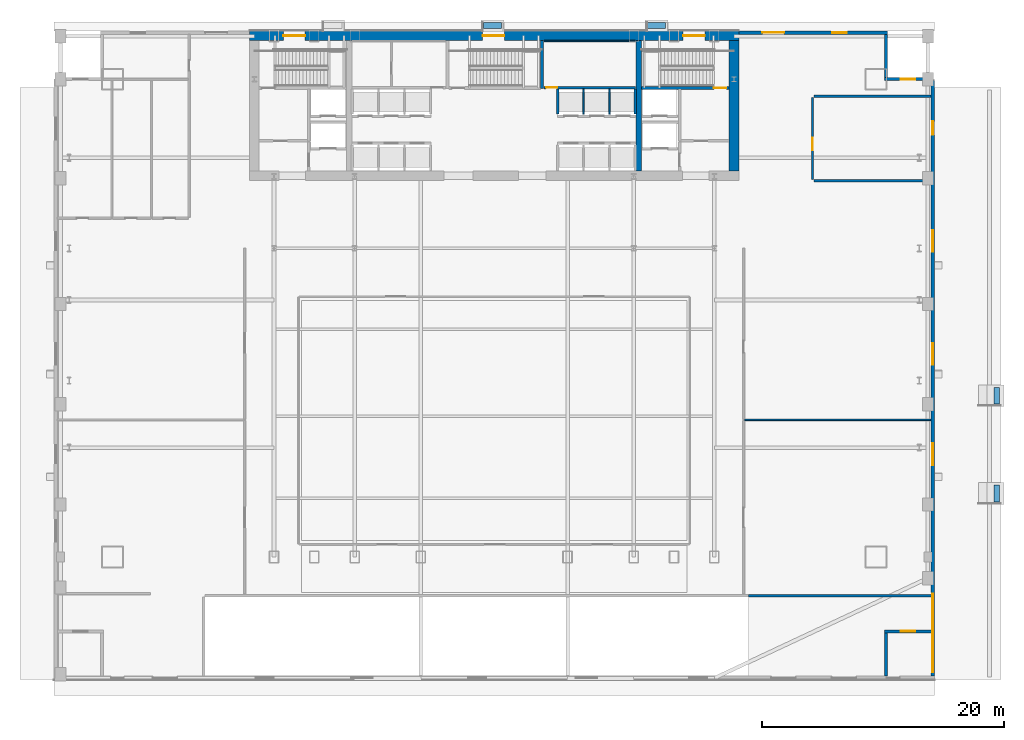
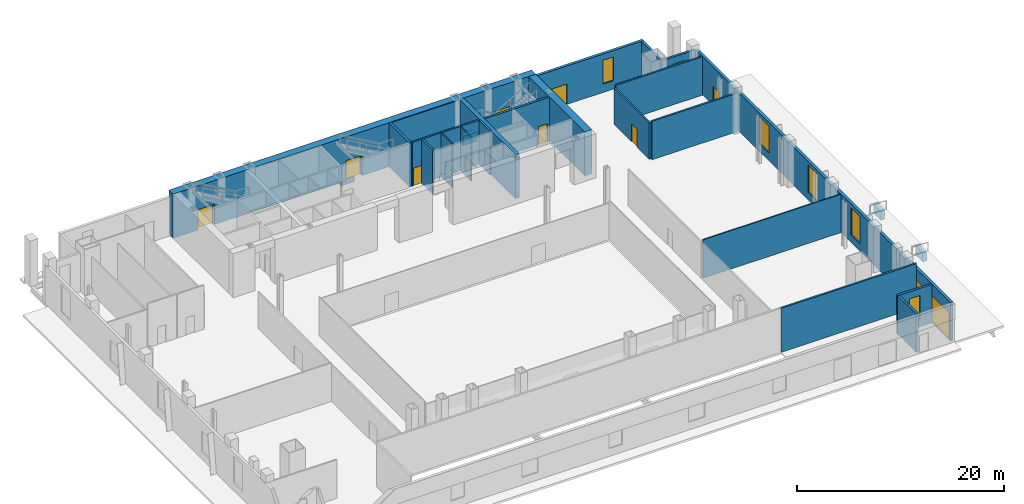
# One storey, part 11 of 16: 26 walls, 9 doors, 6 windows, 15 openings.
"""IFC4 building model written with IfcOpenShell, lengths in metres."""

from ifc_helpers import new_model, si_unit, direction, frame, frame_2d, origin, place, context, subcontext, project, spatial, rectangle, extrude, material, layer, layer_set, type_object, element, fill, save


model = new_model("IFC4")

# Units and contexts
model_context = context("Model", 3, precision=1e-05, world=origin(), true_north=direction((0.0, 1.0)))
body_context = subcontext(model_context, "Body", "Model", "MODEL_VIEW")
ifc_project = project(units=[si_unit("LENGTHUNIT", "METRE"), si_unit("AREAUNIT", "SQUARE_METRE"), si_unit("VOLUMEUNIT", "CUBIC_METRE"), si_unit("PLANEANGLEUNIT", "RADIAN"), si_unit("MASSUNIT", "GRAM", prefix="KILO")], contexts=[model_context])

# Site, building, storey
site_placement = place(None, origin())
site = spatial("IfcSite", under=ifc_project, at=site_placement, CompositionType="ELEMENT")
building_placement = place(site_placement, origin())
building = spatial("IfcBuilding", under=site, at=building_placement, Name="Khoronbel Lancet Exchange", CompositionType="ELEMENT")
storey_placement = place(building_placement, origin())
storey = spatial("IfcBuildingStorey", under=building, at=storey_placement, Name="L00", CompositionType="ELEMENT", Elevation=0.0)

# Wall, openings, doors
ifc_material_1 = material(Name="Concrete C80/95", Category="concrete")
ifc_layer_1 = layer(ifc_material_1, 0.800048828125, Name="Concrete C80/95")
ifc_layer_set_1 = layer_set([ifc_layer_1], Name="Concrete C80/95")
wall_type_1 = type_object("IfcWallType", Name="WL-CW1", PredefinedType="SHEAR", material=ifc_layer_set_1)
wall_1_placement = place(storey_placement, frame((16.199951171875, 53.300048828125, 0.0), z_axis=(0.0, 0.0, 1.0), x_axis=(1.0, 0.0, 0.0)))
wall_1 = element("IfcWall", 1, at=wall_1_placement, inside=storey, type_object=wall_type_1, Name="Level L00 rear core north shear wall", PredefinedType="SHEAR", context=body_context, shape_type="SweptSolid", body=[
    extrude(rectangle(XDim=40.5, YDim=0.800048828125, at=frame_2d((20.25, 0.0))), origin(), (0.0, 0.0, 1.0), 5.199951171875),
])
opening_1_placement = place(wall_1_placement, frame((2.800048828125, 0.0, 0.0)))
opening_1 = element("IfcOpeningElement", 2, at=opening_1_placement, cuts=wall_1, Name="Opening EX2", PredefinedType="OPENING", context=body_context, shape_type="SweptSolid", body=[
    extrude(rectangle(XDim=1.800048828125, YDim=2.39990234375, at=frame_2d((0.89990234375, 1.199951171875))), frame((0.0, 0.41015625, 0.0), z_axis=(0.0, -1.0, 0.0), x_axis=(1.0, 0.0, 0.0)), (0.0, 0.0, 1.0), 0.820068359375),
])
opening_2_placement = place(wall_1_placement, frame((19.300048828125, 0.0, 0.0)))
opening_2 = element("IfcOpeningElement", 3, at=opening_2_placement, cuts=wall_1, Name="Opening EX2", PredefinedType="OPENING", context=body_context, shape_type="SweptSolid", body=[
    extrude(rectangle(XDim=1.800048828125, YDim=2.39990234375, at=frame_2d((0.89990234375, 1.199951171875))), frame((0.0, 0.41015625, 0.0), z_axis=(0.0, -1.0, 0.0), x_axis=(1.0, 0.0, 0.0)), (0.0, 0.0, 1.0), 0.820068359375),
])
opening_3_placement = place(wall_1_placement, frame((35.89990234375, 0.0, 0.0)))
opening_3 = element("IfcOpeningElement", 4, at=opening_3_placement, cuts=wall_1, Name="Opening EX2", PredefinedType="OPENING", context=body_context, shape_type="SweptSolid", body=[
    extrude(rectangle(XDim=1.800048828125, YDim=2.39990234375, at=frame_2d((0.89990234375, 1.199951171875))), frame((0.0, 0.41015625, 0.0), z_axis=(0.0, -1.0, 0.0), x_axis=(1.0, 0.0, 0.0)), (0.0, 0.0, 1.0), 0.820068359375),
])
ifc_material_2 = material(Name="Glazed Bronze-Anodised Aluminium Door Assembly", Category="aluminium")
door_type_1 = type_object("IfcDoorType", Name="DR-EX2", OperationType="NOTDEFINED", PredefinedType="DOOR", material=ifc_material_2)
door_1_placement = place(opening_1_placement, origin())
door_1 = element("IfcDoor", 5, at=door_1_placement, inside=storey, type_object=door_type_1, Name="Stair ST1 north direct exterior discharge exit EX-04", OperationType="DOUBLE_DOOR_SINGLE_SWING", OverallHeight=2.39990234375, OverallWidth=1.800048828125, PredefinedType="DOOR", context=body_context, shape_type="SweptSolid", body=[
    extrude(rectangle(XDim=1.800048828125, YDim=2.39990234375, at=frame_2d((0.89990234375, 1.199951171875))), frame((0.0, 0.02490234375, 0.0), z_axis=(0.0, -1.0, 0.0), x_axis=(1.0, 0.0, 0.0)), (0.0, 0.0, 1.0), 0.050048828125),
])
fill(opening_1, door_1)
door_2_placement = place(opening_2_placement, origin())
door_2 = element("IfcDoor", 6, at=door_2_placement, inside=storey, type_object=door_type_1, Name="Stair ST3 north direct exterior discharge exit EX-06", OperationType="DOUBLE_DOOR_SINGLE_SWING", OverallHeight=2.39990234375, OverallWidth=1.800048828125, PredefinedType="DOOR", context=body_context, shape_type="SweptSolid", body=[
    extrude(rectangle(XDim=1.800048828125, YDim=2.39990234375, at=frame_2d((0.89990234375, 1.199951171875))), frame((0.0, 0.02490234375, 0.0), z_axis=(0.0, -1.0, 0.0), x_axis=(1.0, 0.0, 0.0)), (0.0, 0.0, 1.0), 0.050048828125),
])
fill(opening_2, door_2)
door_3_placement = place(opening_3_placement, origin())
door_3 = element("IfcDoor", 7, at=door_3_placement, inside=storey, type_object=door_type_1, Name="Stair ST2 north direct exterior discharge exit EX-05", OperationType="DOUBLE_DOOR_SINGLE_SWING", OverallHeight=2.39990234375, OverallWidth=1.800048828125, PredefinedType="DOOR", context=body_context, shape_type="SweptSolid", body=[
    extrude(rectangle(XDim=1.800048828125, YDim=2.39990234375, at=frame_2d((0.89990234375, 1.199951171875))), frame((0.0, 0.02490234375, 0.0), z_axis=(0.0, -1.0, 0.0), x_axis=(1.0, 0.0, 0.0)), (0.0, 0.0, 1.0), 0.050048828125),
])
fill(opening_3, door_3)

# Wall
wall_2_placement = place(storey_placement, frame((56.300048828125, 52.89990234375, 0.0), z_axis=(0.0, 0.0, 1.0), x_axis=(0.0, -1.0, 0.0)))
element("IfcWall", 8, at=wall_2_placement, inside=storey, type_object=wall_type_1, Name="Level L00 rear core east shear wall", PredefinedType="SHEAR", context=body_context, shape_type="SweptSolid", body=[
    extrude(rectangle(XDim=10.7998046875, YDim=0.800048828125, at=frame_2d((5.39990234375, 0.0))), origin(), (0.0, 0.0, 1.0), 5.199951171875),
])

# Wall, opening, window
ifc_material_3 = material(Name="Precast concrete C40/50", Category="concrete")
ifc_layer_2 = layer(ifc_material_3, 0.25, Name="Precast concrete C40/50")
ifc_layer_set_2 = layer_set([ifc_layer_2], Name="Precast concrete C40/50")
wall_type_2 = type_object("IfcWallType", Name="WL-EXT250", PredefinedType="SOLIDWALL", material=ifc_layer_set_2)
wall_3_placement = place(storey_placement, frame((68.77490234375, 49.699951171875, 0.0), z_axis=(0.0, 0.0, 1.0), x_axis=(1.0, 0.0, 0.0)))
wall_3 = element("IfcWall", 9, at=wall_3_placement, inside=storey, type_object=wall_type_2, Name="Level L00 corner notch exterior wall NEL0", PredefinedType="SOLIDWALL", context=body_context, shape_type="SweptSolid", body=[
    extrude(rectangle(XDim=3.8251953125, YDim=0.25, at=frame_2d((1.91259765625, 0.0))), origin(), (0.0, 0.0, 1.0), 4.5400390625),
])
opening_4_placement = place(wall_3_placement, frame((1.3125, 0.0, 0.89990234375)))
opening_4 = element("IfcOpeningElement", 10, at=opening_4_placement, cuts=wall_3, Name="Opening W2", PredefinedType="OPENING", context=body_context, shape_type="SweptSolid", body=[
    extrude(rectangle(XDim=1.199951171875, YDim=2.800048828125, at=frame_2d((0.60009765625, 1.39990234375))), frame((0.0, 0.135009765625, 0.0), z_axis=(0.0, -1.0, 0.0), x_axis=(1.0, 0.0, 0.0)), (0.0, 0.0, 1.0), 0.27001953125),
])
ifc_material_4 = material(Name="Low-E Solar Control Insulating Glass", Category="glass")
window_type_1 = type_object("IfcWindowType", Name="WIN-W2", PartitioningType="SINGLE_PANEL", PredefinedType="WINDOW", material=ifc_material_4)
window_1_placement = place(opening_4_placement, origin())
window_1 = element("IfcWindow", 11, at=window_1_placement, inside=storey, type_object=window_type_1, Name="WIN-L00-NEL0", OverallHeight=2.800048828125, OverallWidth=1.199951171875, PartitioningType="SINGLE_PANEL", PredefinedType="WINDOW", context=body_context, shape_type="SweptSolid", body=[
    extrude(rectangle(XDim=1.199951171875, YDim=2.800048828125, at=frame_2d((0.60009765625, 1.39990234375))), frame((0.0, 0.030029296875, 0.0), z_axis=(0.0, -1.0, 0.0), x_axis=(1.0, 0.0, 0.0)), (0.0, 0.0, 1.0), 0.06005859375),
])
fill(opening_4, window_1)

wall_4_placement = place(storey_placement, frame((72.60009765625, 4.0, 0.0), z_axis=(0.0, 0.0, 1.0), x_axis=(-1.0, 0.0, 0.0)))
wall_4 = element("IfcWall", 12, at=wall_4_placement, inside=storey, type_object=wall_type_2, Name="Level L00 corner notch exterior wall SEL0", PredefinedType="SOLIDWALL", context=body_context, shape_type="SweptSolid", body=[
    extrude(rectangle(XDim=3.8251953125, YDim=0.25, at=frame_2d((1.91259765625, 0.0))), origin(), (0.0, 0.0, 1.0), 4.5400390625),
])
opening_5_placement = place(wall_4_placement, frame((1.3125, 0.0, 0.89990234375)))
opening_5 = element("IfcOpeningElement", 13, at=opening_5_placement, cuts=wall_4, Name="Opening W2", PredefinedType="OPENING", context=body_context, shape_type="SweptSolid", body=[
    extrude(rectangle(XDim=1.199951171875, YDim=2.800048828125, at=frame_2d((0.60009765625, 1.39990234375))), frame((0.0, 0.135009765625, 0.0), z_axis=(0.0, -1.0, 0.0), x_axis=(1.0, 0.0, 0.0)), (0.0, 0.0, 1.0), 0.27001953125),
])
window_2_placement = place(opening_5_placement, origin())
window_2 = element("IfcWindow", 14, at=window_2_placement, inside=storey, type_object=window_type_1, Name="WIN-L00-SEL0", OverallHeight=2.800048828125, OverallWidth=1.199951171875, PartitioningType="SINGLE_PANEL", PredefinedType="WINDOW", context=body_context, shape_type="SweptSolid", body=[
    extrude(rectangle(XDim=1.199951171875, YDim=2.800048828125, at=frame_2d((0.60009765625, 1.39990234375))), frame((0.0, 0.030029296875, 0.0), z_axis=(0.0, -1.0, 0.0), x_axis=(1.0, 0.0, 0.0)), (0.0, 0.0, 1.0), 0.06005859375),
])
fill(opening_5, window_2)

# Walls
for number, where, z_axis, x_axis, name in (
    (15, (68.89990234375, 53.39990234375, 0.0), (0.0, 0.0, 1.0), (0.0, -1.0, 0.0), "Level L00 corner notch exterior wall NEV0"),
    (16, (68.89990234375, 3.875, 0.0), (0.0, 0.0, 1.0), (0.0, -1.0, 0.0), "Level L00 corner notch exterior wall SEV0"),
):
    element("IfcWall", number, at=place(storey_placement, frame(where, z_axis=z_axis, x_axis=x_axis)), inside=storey, type_object=wall_type_2, Name=name, PredefinedType="SOLIDWALL", context=body_context, shape_type="SweptSolid", body=[
        extrude(rectangle(XDim=3.574951171875, YDim=0.25, at=frame_2d((1.78759765625, 0.0))), origin(), (0.0, 0.0, 1.0), 4.5400390625),
    ])

# Wall, openings, doors, windows
ifc_layer_3 = layer(ifc_material_3, 0.300048828125, Name="Precast concrete C40/50")
ifc_layer_set_3 = layer_set([ifc_layer_3], Name="Precast concrete C40/50")
wall_type_3 = type_object("IfcWallType", Name="WL-EXT300", PredefinedType="SOLIDWALL", material=ifc_layer_set_3)
wall_5_placement = place(storey_placement, frame((72.75, 0.300048828125, 0.0), z_axis=(0.0, 0.0, 1.0), x_axis=(0.0, 1.0, 0.0)))
wall_5 = element("IfcWall", 17, at=wall_5_placement, inside=storey, type_object=wall_type_3, Name="Level L00 east boulevard stone facade and ramp portal wall", PredefinedType="SOLIDWALL", context=body_context, shape_type="SweptSolid", body=[
    extrude(rectangle(XDim=49.27490234375, YDim=0.300048828125, at=frame_2d((24.637451171875, 0.0))), origin(), (0.0, 0.0, 1.0), 4.5400390625),
])
opening_6_placement = place(wall_5_placement, frame((0.300048828125, 0.0, 0.0)))
opening_6 = element("IfcOpeningElement", 18, at=opening_6_placement, cuts=wall_5, Name="Opening VG-01", PredefinedType="OPENING", context=body_context, shape_type="SweptSolid", body=[
    extrude(rectangle(XDim=6.5, YDim=3.199951171875, at=frame_2d((3.25, 1.60009765625))), frame((0.0, 0.16015625, 0.0), z_axis=(0.0, -1.0, 0.0), x_axis=(1.0, 0.0, 0.0)), (0.0, 0.0, 1.0), 0.320068359375),
])
opening_7_placement = place(wall_5_placement, frame((44.800048828125, 0.0, 0.0)))
opening_7 = element("IfcOpeningElement", 19, at=opening_7_placement, cuts=wall_5, Name="Opening EX3", PredefinedType="OPENING", context=body_context, shape_type="SweptSolid", body=[
    extrude(rectangle(XDim=1.10009765625, YDim=2.25, at=frame_2d((0.550048828125, 1.125))), frame((0.0, 0.16015625, 0.0), z_axis=(0.0, -1.0, 0.0), x_axis=(1.0, 0.0, 0.0)), (0.0, 0.0, 1.0), 0.320068359375),
])
opening_8_placement = place(wall_5_placement, frame((17.449951171875, 0.0, 0.89990234375)))
opening_8 = element("IfcOpeningElement", 20, at=opening_8_placement, cuts=wall_5, Name="Opening W1", PredefinedType="OPENING", context=body_context, shape_type="SweptSolid", body=[
    extrude(rectangle(XDim=1.800048828125, YDim=3.199951171875, at=frame_2d((0.89990234375, 1.60009765625))), frame((0.0, 0.16015625, 0.0), z_axis=(0.0, -1.0, 0.0), x_axis=(1.0, 0.0, 0.0)), (0.0, 0.0, 1.0), 0.320068359375),
])
opening_9_placement = place(wall_5_placement, frame((25.75, 0.0, 0.89990234375)))
opening_9 = element("IfcOpeningElement", 21, at=opening_9_placement, cuts=wall_5, Name="Opening W1", PredefinedType="OPENING", context=body_context, shape_type="SweptSolid", body=[
    extrude(rectangle(XDim=1.800048828125, YDim=3.199951171875, at=frame_2d((0.89990234375, 1.60009765625))), frame((0.0, 0.16015625, 0.0), z_axis=(0.0, -1.0, 0.0), x_axis=(1.0, 0.0, 0.0)), (0.0, 0.0, 1.0), 0.320068359375),
])
opening_10_placement = place(wall_5_placement, frame((35.10009765625, 0.0, 0.89990234375)))
opening_10 = element("IfcOpeningElement", 22, at=opening_10_placement, cuts=wall_5, Name="Opening W1", PredefinedType="OPENING", context=body_context, shape_type="SweptSolid", body=[
    extrude(rectangle(XDim=1.800048828125, YDim=3.199951171875, at=frame_2d((0.89990234375, 1.60009765625))), frame((0.0, 0.16015625, 0.0), z_axis=(0.0, -1.0, 0.0), x_axis=(1.0, 0.0, 0.0)), (0.0, 0.0, 1.0), 0.320068359375),
])
door_type_2 = type_object("IfcDoorType", Name="DR-EX3", OperationType="NOTDEFINED", PredefinedType="DOOR", material=ifc_material_2)
door_4_placement = place(opening_7_placement, origin())
door_4 = element("IfcDoor", 23, at=door_4_placement, inside=storey, type_object=door_type_2, Name="Fire Command Centre firefighter entrance", OperationType="SINGLE_SWING_RIGHT", OverallHeight=2.25, OverallWidth=1.10009765625, PredefinedType="DOOR", context=body_context, shape_type="SweptSolid", body=[
    extrude(rectangle(XDim=1.10009765625, YDim=2.25, at=frame_2d((0.550048828125, 1.125))), frame((0.0, 0.02490234375, 0.0), z_axis=(0.0, -1.0, 0.0), x_axis=(1.0, 0.0, 0.0)), (0.0, 0.0, 1.0), 0.050048828125),
])
fill(opening_7, door_4)
ifc_material_5 = material(Name="Perforated Bronze-Anodised Steel Security Shutter", Category="steel")
door_type_3 = type_object("IfcDoorType", Name="DR-VG01", OperationType="ROLLINGUP", PredefinedType="GATE", material=ifc_material_5)
door_5_placement = place(opening_6_placement, origin())
door_5 = element("IfcDoor", 24, at=door_5_placement, inside=storey, type_object=door_type_3, Name="Car-park roller shutter gate VG-01", OperationType="ROLLINGUP", OverallHeight=3.199951171875, OverallWidth=6.5, PredefinedType="GATE", context=body_context, shape_type="SweptSolid", body=[
    extrude(rectangle(XDim=6.5, YDim=3.199951171875, at=frame_2d((3.25, 1.60009765625))), frame((0.0, 0.02490234375, 0.0), z_axis=(0.0, -1.0, 0.0), x_axis=(1.0, 0.0, 0.0)), (0.0, 0.0, 1.0), 0.050048828125),
])
fill(opening_6, door_5)
window_type_2 = type_object("IfcWindowType", Name="WIN-W1", PartitioningType="SINGLE_PANEL", PredefinedType="WINDOW", material=ifc_material_4)
window_3_placement = place(opening_8_placement, origin())
window_3 = element("IfcWindow", 25, at=window_3_placement, inside=storey, type_object=window_type_2, Name="WIN-L00-E-1", OverallHeight=3.199951171875, OverallWidth=1.800048828125, PartitioningType="SINGLE_PANEL", PredefinedType="WINDOW", context=body_context, shape_type="SweptSolid", body=[
    extrude(rectangle(XDim=1.800048828125, YDim=3.199951171875, at=frame_2d((0.89990234375, 1.60009765625))), frame((0.0, 0.030029296875, 0.0), z_axis=(0.0, -1.0, 0.0), x_axis=(1.0, 0.0, 0.0)), (0.0, 0.0, 1.0), 0.06005859375),
])
fill(opening_8, window_3)
window_4_placement = place(opening_9_placement, origin())
window_4 = element("IfcWindow", 26, at=window_4_placement, inside=storey, type_object=window_type_2, Name="WIN-L00-E-2", OverallHeight=3.199951171875, OverallWidth=1.800048828125, PartitioningType="SINGLE_PANEL", PredefinedType="WINDOW", context=body_context, shape_type="SweptSolid", body=[
    extrude(rectangle(XDim=1.800048828125, YDim=3.199951171875, at=frame_2d((0.89990234375, 1.60009765625))), frame((0.0, 0.030029296875, 0.0), z_axis=(0.0, -1.0, 0.0), x_axis=(1.0, 0.0, 0.0)), (0.0, 0.0, 1.0), 0.06005859375),
])
fill(opening_9, window_4)
window_5_placement = place(opening_10_placement, origin())
window_5 = element("IfcWindow", 27, at=window_5_placement, inside=storey, type_object=window_type_2, Name="WIN-L00-E-3", OverallHeight=3.199951171875, OverallWidth=1.800048828125, PartitioningType="SINGLE_PANEL", PredefinedType="WINDOW", context=body_context, shape_type="SweptSolid", body=[
    extrude(rectangle(XDim=1.800048828125, YDim=3.199951171875, at=frame_2d((0.89990234375, 1.60009765625))), frame((0.0, 0.030029296875, 0.0), z_axis=(0.0, -1.0, 0.0), x_axis=(1.0, 0.0, 0.0)), (0.0, 0.0, 1.0), 0.06005859375),
])
fill(opening_10, window_5)

# Wall, openings, door, window
wall_6_placement = place(storey_placement, frame((56.699951171875, 53.550048828125, 0.0), z_axis=(0.0, 0.0, 1.0), x_axis=(1.0, 0.0, 0.0)))
wall_6 = element("IfcWall", 28, at=wall_6_placement, inside=storey, type_object=wall_type_3, Name="Level L00 north-east stair discharge facade wall", PredefinedType="SOLIDWALL", context=body_context, shape_type="SweptSolid", body=[
    extrude(rectangle(XDim=12.324951171875, YDim=0.300048828125, at=frame_2d((6.16259765625, 0.0))), origin(), (0.0, 0.0, 1.0), 4.5400390625),
])
opening_11_placement = place(wall_6_placement, frame((1.949951171875, 0.0, 0.0)))
opening_11 = element("IfcOpeningElement", 29, at=opening_11_placement, cuts=wall_6, Name="Opening EX2", PredefinedType="OPENING", context=body_context, shape_type="SweptSolid", body=[
    extrude(rectangle(XDim=1.800048828125, YDim=2.39990234375, at=frame_2d((0.89990234375, 1.199951171875))), frame((0.0, 0.16015625, 0.0), z_axis=(0.0, -1.0, 0.0), x_axis=(1.0, 0.0, 0.0)), (0.0, 0.0, 1.0), 0.320068359375),
])
opening_12_placement = place(wall_6_placement, frame((7.75, 0.0, 1.0)))
opening_12 = element("IfcOpeningElement", 30, at=opening_12_placement, cuts=wall_6, Name="Opening W2", PredefinedType="OPENING", context=body_context, shape_type="SweptSolid", body=[
    extrude(rectangle(XDim=1.199951171875, YDim=2.800048828125, at=frame_2d((0.60009765625, 1.39990234375))), frame((0.0, 0.16015625, 0.0), z_axis=(0.0, -1.0, 0.0), x_axis=(1.0, 0.0, 0.0)), (0.0, 0.0, 1.0), 0.320068359375),
])
door_6_placement = place(opening_11_placement, origin())
door_6 = element("IfcDoor", 31, at=door_6_placement, inside=storey, type_object=door_type_1, Name="North-east concourse arcade final exit EX-08", OperationType="DOUBLE_DOOR_SINGLE_SWING", OverallHeight=2.39990234375, OverallWidth=1.800048828125, PredefinedType="DOOR", context=body_context, shape_type="SweptSolid", body=[
    extrude(rectangle(XDim=1.800048828125, YDim=2.39990234375, at=frame_2d((0.89990234375, 1.199951171875))), frame((0.0, 0.02490234375, 0.0), z_axis=(0.0, -1.0, 0.0), x_axis=(1.0, 0.0, 0.0)), (0.0, 0.0, 1.0), 0.050048828125),
])
fill(opening_11, door_6)
window_6_placement = place(opening_12_placement, origin())
window_6 = element("IfcWindow", 32, at=window_6_placement, inside=storey, type_object=window_type_1, Name="WIN-L00-NE-1", OverallHeight=2.800048828125, OverallWidth=1.199951171875, PartitioningType="SINGLE_PANEL", PredefinedType="WINDOW", context=body_context, shape_type="SweptSolid", body=[
    extrude(rectangle(XDim=1.199951171875, YDim=2.800048828125, at=frame_2d((0.60009765625, 1.39990234375))), frame((0.0, 0.030029296875, 0.0), z_axis=(0.0, -1.0, 0.0), x_axis=(1.0, 0.0, 0.0)), (0.0, 0.0, 1.0), 0.06005859375),
])
fill(opening_12, window_6)

# Walls
ifc_material_6 = material(Name="Acoustic Metal-Stud & Mineral-Wool Gypsum Partition 120 mm", Category="gypsum")
ifc_layer_4 = layer(ifc_material_6, 0.1201171875, Name="Acoustic Metal-Stud & Mineral-Wool Gypsum Partition 120 mm")
ifc_layer_set_4 = layer_set([ifc_layer_4], Name="Acoustic Metal-Stud & Mineral-Wool Gypsum Partition 120 mm")
wall_type_4 = type_object("IfcWallType", Name="WL-PRT120", PredefinedType="PARTITIONING", material=ifc_layer_set_4)
wall_7_placement = place(storey_placement, frame((57.179931640625, 21.5, 0.0), z_axis=(0.0, 0.0, 1.0), x_axis=(1.0, 0.0, 0.0)))
element("IfcWall", 33, at=wall_7_placement, inside=storey, type_object=wall_type_4, Name="Level L00 interior partition PW-L00-EH", PredefinedType="PARTITIONING", context=body_context, shape_type="SweptSolid", body=[
    extrude(rectangle(XDim=15.420166015625, YDim=0.1201171875, at=frame_2d((7.7099609375, 0.0))), origin(), (0.0, 0.0, 1.0), 4.5400390625),
])
ifc_material_7 = material(Name="Fire-Rated Metal-Stud & Mineral-Wool Gypsum Partition 120 mm", Category="gypsum")
ifc_layer_5 = layer(ifc_material_7, 0.1201171875, Name="Fire-Rated Metal-Stud & Mineral-Wool Gypsum Partition 120 mm")
ifc_layer_set_5 = layer_set([ifc_layer_5], Name="Fire-Rated Metal-Stud & Mineral-Wool Gypsum Partition 120 mm")
wall_type_5 = type_object("IfcWallType", Name="WL-PRT120F", PredefinedType="PARTITIONING", material=ifc_layer_set_5)
for number, where, z_axis, x_axis, name in (
    (34, (43.860107421875, 46.800048828125, 0.0), (0.0, 0.0, 1.0), (0.0, 1.0, 0.0), "Level L00 interior partition CW-PH-D1"),
    (35, (46.0, 46.800048828125, 0.0), (0.0, 0.0, 1.0), (0.0, 1.0, 0.0), "Level L00 interior partition CW-PH-D2"),
):
    element("IfcWall", number, at=place(storey_placement, frame(where, z_axis=z_axis, x_axis=x_axis)), inside=storey, type_object=wall_type_5, Name=name, PredefinedType="PARTITIONING", context=body_context, shape_type="SweptSolid", body=[
        extrude(rectangle(XDim=2.094970703125, YDim=0.1201171875, at=frame_2d((1.04736328125, 0.0))), origin(), (0.0, 0.0, 1.0), 5.199951171875),
    ])
wall_8_placement = place(storey_placement, frame((40.580078125, 52.860107421875, 0.0), z_axis=(0.0, 0.0, 1.0), x_axis=(1.0, 0.0, 0.0)))
element("IfcWall", 36, at=wall_8_placement, inside=storey, type_object=wall_type_5, Name="Level L00 interior partition CW-SUP-NE-N", PredefinedType="PARTITIONING", context=body_context, shape_type="SweptSolid", body=[
    extrude(rectangle(XDim=7.559814453125, YDim=0.1201171875, at=frame_2d((3.77978515625, 0.0))), origin(), (0.0, 0.0, 1.0), 5.199951171875),
])
ifc_material_8 = material(Name="Autoclaved Aerated Concrete Blockwork 200 mm", Category="masonry")
ifc_layer_6 = layer(ifc_material_8, 0.199951171875, Name="Autoclaved Aerated Concrete Blockwork 200 mm")
ifc_layer_set_6 = layer_set([ifc_layer_6], Name="Autoclaved Aerated Concrete Blockwork 200 mm")
wall_type_6 = type_object("IfcWallType", Name="WL-PRT200", PredefinedType="PARTITIONING", material=ifc_layer_set_6)
for number, where, z_axis, x_axis, name in (
    (37, (41.719970703125, 46.800048828125, 0.0), (0.0, 0.0, 1.0), (0.0, 1.0, 0.0), "Level L00 interior partition CW-PH-W"),
    (38, (48.139892578125, 46.800048828125, 0.0), (0.0, 0.0, 1.0), (0.0, 1.0, 0.0), "Level L00 interior partition CW-PH-E"),
):
    element("IfcWall", number, at=place(storey_placement, frame(where, z_axis=z_axis, x_axis=x_axis)), inside=storey, type_object=wall_type_6, Name=name, PredefinedType="PARTITIONING", context=body_context, shape_type="SweptSolid", body=[
        extrude(rectangle(XDim=2.094970703125, YDim=0.199951171875, at=frame_2d((1.04736328125, 0.0))), origin(), (0.0, 0.0, 1.0), 5.199951171875),
    ])

# Wall, opening, door
wall_9_placement = place(storey_placement, frame((40.580078125, 49.0, 0.0), z_axis=(0.0, 0.0, 1.0), x_axis=(1.0, 0.0, 0.0)))
wall_9 = element("IfcWall", 39, at=wall_9_placement, inside=storey, type_object=wall_type_6, Name="Level L00 interior partition CW-SUP-NE-S", PredefinedType="PARTITIONING", context=body_context, shape_type="SweptSolid", body=[
    extrude(rectangle(XDim=7.559814453125, YDim=0.199951171875, at=frame_2d((3.77978515625, 0.0))), origin(), (0.0, 0.0, 1.0), 5.199951171875),
])
opening_13_placement = place(wall_9_placement, frame((0.159912109375, 0.0, 0.0)))
opening_13 = element("IfcOpeningElement", 40, at=opening_13_placement, cuts=wall_9, Name="Opening FD3", PredefinedType="OPENING", context=body_context, shape_type="SweptSolid", body=[
    extrude(rectangle(XDim=0.949951171875, YDim=2.10009765625, at=frame_2d((0.47509765625, 1.050048828125))), frame((0.0, 0.10986328125, 0.0), z_axis=(0.0, -1.0, 0.0), x_axis=(1.0, 0.0, 0.0)), (0.0, 0.0, 1.0), 0.219970703125),
])
ifc_material_9 = material(Name="Fire-Rated Steel Plant & Riser Door Assembly", Category="steel")
door_type_4 = type_object("IfcDoorType", Name="DR-FD3", OperationType="NOTDEFINED", PredefinedType="DOOR", material=ifc_material_9)
door_7_placement = place(opening_13_placement, origin())
door_7 = element("IfcDoor", 41, at=door_7_placement, inside=storey, type_object=door_type_4, Name="Core NE support room door L00-1", OperationType="SINGLE_SWING_RIGHT", OverallHeight=2.10009765625, OverallWidth=0.949951171875, PredefinedType="DOOR", context=body_context, shape_type="SweptSolid", body=[
    extrude(rectangle(XDim=0.949951171875, YDim=2.10009765625, at=frame_2d((0.47509765625, 1.050048828125))), frame((0.0, 0.02490234375, 0.0), z_axis=(0.0, -1.0, 0.0), x_axis=(1.0, 0.0, 0.0)), (0.0, 0.0, 1.0), 0.050048828125),
])
fill(opening_13, door_7)

# Wall
wall_10_placement = place(storey_placement, frame((57.5, 6.949951171875, 0.0), z_axis=(0.0, 0.0, 1.0), x_axis=(1.0, 0.0, 0.0)))
element("IfcWall", 42, at=wall_10_placement, inside=storey, type_object=wall_type_6, Name="Level L00 interior partition PW-L00-RMPE2", PredefinedType="PARTITIONING", context=body_context, shape_type="SweptSolid", body=[
    extrude(rectangle(XDim=15.10009765625, YDim=0.199951171875, at=frame_2d((7.550048828125, 0.0))), origin(), (0.0, 0.0, 1.0), 5.199951171875),
])

# Wall, opening, door
wall_11_placement = place(storey_placement, frame((62.800048828125, 41.405029296875, 0.0), z_axis=(0.0, 0.0, 1.0), x_axis=(0.0, 1.0, 0.0)))
wall_11 = element("IfcWall", 43, at=wall_11_placement, inside=storey, type_object=wall_type_6, Name="Level L00 interior partition PW-L00-FCCW", PredefinedType="PARTITIONING", context=body_context, shape_type="SweptSolid", body=[
    extrude(rectangle(XDim=6.7900390625, YDim=0.199951171875, at=frame_2d((3.39501953125, 0.0))), origin(), (0.0, 0.0, 1.0), 4.2900390625),
])
opening_14_placement = place(wall_11_placement, frame((2.39990234375, 0.0, 0.0)))
opening_14 = element("IfcOpeningElement", 44, at=opening_14_placement, cuts=wall_11, Name="Opening FD1", PredefinedType="OPENING", context=body_context, shape_type="SweptSolid", body=[
    extrude(rectangle(XDim=1.050048828125, YDim=2.14990234375, at=frame_2d((0.52490234375, 1.074951171875))), frame((0.0, 0.10986328125, 0.0), z_axis=(0.0, -1.0, 0.0), x_axis=(1.0, 0.0, 0.0)), (0.0, 0.0, 1.0), 0.219970703125),
])
ifc_material_10 = material(Name="Fire-Rated Painted Steel Door Assembly", Category="steel")
door_type_5 = type_object("IfcDoorType", Name="DR-FD1", OperationType="NOTDEFINED", PredefinedType="DOOR", material=ifc_material_10)
door_8_placement = place(opening_14_placement, origin())
door_8 = element("IfcDoor", 45, at=door_8_placement, inside=storey, type_object=door_type_5, Name="Fire Command Centre internal FD90S door L00-1", OperationType="SINGLE_SWING_RIGHT", OverallHeight=2.14990234375, OverallWidth=1.050048828125, PredefinedType="DOOR", context=body_context, shape_type="SweptSolid", body=[
    extrude(rectangle(XDim=1.050048828125, YDim=2.14990234375, at=frame_2d((0.52490234375, 1.074951171875))), frame((0.0, 0.02490234375, 0.0), z_axis=(0.0, -1.0, 0.0), x_axis=(1.0, 0.0, 0.0)), (0.0, 0.0, 1.0), 0.050048828125),
])
fill(opening_14, door_8)

# Walls
for number, where, z_axis, x_axis, name in (
    (46, (62.905029296875, 41.300048828125, 0.0), (0.0, 0.0, 1.0), (1.0, 0.0, 0.0), "Level L00 interior partition PW-L00-FCCS"),
    (47, (62.905029296875, 48.300048828125, 0.0), (0.0, 0.0, 1.0), (1.0, 0.0, 0.0), "Level L00 interior partition PW-L00-FCCN"),
):
    element("IfcWall", number, at=place(storey_placement, frame(where, z_axis=z_axis, x_axis=x_axis)), inside=storey, type_object=wall_type_6, Name=name, PredefinedType="PARTITIONING", context=body_context, shape_type="SweptSolid", body=[
        extrude(rectangle(XDim=9.695068359375, YDim=0.199951171875, at=frame_2d((4.84765625, 0.0))), origin(), (0.0, 0.0, 1.0), 4.5400390625),
    ])
ifc_material_11 = material(Name="Concrete C60/75", Category="concrete")
ifc_layer_7 = layer(ifc_material_11, 0.52001953125, Name="Concrete C60/75")
ifc_layer_set_7 = layer_set([ifc_layer_7], Name="Concrete C60/75")
wall_type_7 = type_object("IfcWallType", Name="WL-RET500", PredefinedType="SOLIDWALL", material=ifc_layer_set_7)
wall_12_placement = place(storey_placement, frame((78.050048828125, 14.699951171875, -1.219970703125), z_axis=(0.0, 0.0, 1.0), x_axis=(0.0, 1.0, 0.0)))
element("IfcWall", 48, at=wall_12_placement, inside=storey, type_object=wall_type_7, Name="Accessible threshold ramp foundation pier 1", PredefinedType="SOLIDWALL", context=body_context, shape_type="SweptSolid", body=[
    extrude(rectangle(XDim=1.400146484375, YDim=0.47998046875, at=frame_2d((0.7001953125, 0.0))), origin(), (0.0, 0.0, 1.0), 1.080078125),
])
wall_13_placement = place(storey_placement, frame((78.050048828125, 22.800048828125, -1.219970703125), z_axis=(0.0, 0.0, 1.0), x_axis=(0.0, 1.0, 0.0)))
element("IfcWall", 49, at=wall_13_placement, inside=storey, type_object=wall_type_7, Name="Accessible threshold ramp foundation pier 2", PredefinedType="SOLIDWALL", context=body_context, shape_type="SweptSolid", body=[
    extrude(rectangle(XDim=1.39990234375, YDim=0.47998046875, at=frame_2d((0.699951171875, 0.0))), origin(), (0.0, 0.0, 1.0), 1.080078125),
])
for number, where, z_axis, x_axis, name in (
    (50, (35.550048828125, 54.14990234375, -1.219970703125), (0.0, 0.0, 1.0), (1.0, 0.0, 0.0), "Accessible threshold ramp foundation pier 4"),
    (51, (49.14990234375, 54.14990234375, -1.219970703125), (0.0, 0.0, 1.0), (1.0, 0.0, 0.0), "Accessible threshold ramp foundation pier 5"),
):
    element("IfcWall", number, at=place(storey_placement, frame(where, z_axis=z_axis, x_axis=x_axis)), inside=storey, type_object=wall_type_7, Name=name, PredefinedType="SOLIDWALL", context=body_context, shape_type="SweptSolid", body=[
        extrude(rectangle(XDim=1.5, YDim=0.47998046875, at=frame_2d((0.75, 0.0))), origin(), (0.0, 0.0, 1.0), 1.080078125),
    ])
ifc_layer_8 = layer(ifc_material_1, 0.449951171875, Name="Concrete C80/95")
ifc_layer_set_8 = layer_set([ifc_layer_8], Name="Concrete C80/95")
wall_type_8 = type_object("IfcWallType", Name="WL-SW1", PredefinedType="SHEAR", material=ifc_layer_set_8)
wall_14_placement = place(storey_placement, frame((48.39990234375, 42.10009765625, 0.0), z_axis=(0.0, 0.0, 1.0), x_axis=(0.0, 1.0, 0.0)))
element("IfcWall", 52, at=wall_14_placement, inside=storey, type_object=wall_type_8, Name="Level L00 rear core internal spine shear wall IE", PredefinedType="SHEAR", context=body_context, shape_type="SweptSolid", body=[
    extrude(rectangle(XDim=10.7998046875, YDim=0.449951171875, at=frame_2d((5.39990234375, 0.0))), origin(), (0.0, 0.0, 1.0), 5.199951171875),
])
ifc_layer_9 = layer(ifc_material_11, 0.260009765625, Name="Concrete C60/75")
ifc_layer_set_9 = layer_set([ifc_layer_9], Name="Concrete C60/75")
wall_type_9 = type_object("IfcWallType", Name="WL-SW3", PredefinedType="SHEAR", material=ifc_layer_set_9)
wall_15_placement = place(storey_placement, frame((40.419921875, 48.949951171875, 0.0), z_axis=(0.0, 0.0, 1.0), x_axis=(0.0, 1.0, 0.0)))
element("IfcWall", 53, at=wall_15_placement, inside=storey, type_object=wall_type_9, Name="Level L00 central stairwell structural shear wall ST3E", PredefinedType="SHEAR", context=body_context, shape_type="SweptSolid", body=[
    extrude(rectangle(XDim=3.949951171875, YDim=0.260009765625, at=frame_2d((1.97509765625, 0.0))), origin(), (0.0, 0.0, 1.0), 5.199951171875),
])

# Wall, opening, door
wall_16_placement = place(storey_placement, frame((48.6298828125, 48.97998046875, 0.0), z_axis=(0.0, 0.0, 1.0), x_axis=(1.0, 0.0, 0.0)))
wall_16 = element("IfcWall", 54, at=wall_16_placement, inside=storey, type_object=wall_type_9, Name="Level L00 east stairwell structural south wall", PredefinedType="SHEAR", context=body_context, shape_type="SweptSolid", body=[
    extrude(rectangle(XDim=7.27001953125, YDim=0.239990234375, at=frame_2d((3.635009765625, 0.0))), origin(), (0.0, 0.0, 1.0), 5.199951171875),
])
opening_15_placement = place(wall_16_placement, frame((6.0, 0.0, 0.0)))
opening_15 = element("IfcOpeningElement", 55, at=opening_15_placement, cuts=wall_16, Name="Opening SD1", PredefinedType="OPENING", context=body_context, shape_type="SweptSolid", body=[
    extrude(rectangle(XDim=1.050048828125, YDim=2.14990234375, at=frame_2d((0.52490234375, 1.074951171875))), frame((0.0, 0.1298828125, 0.0), z_axis=(0.0, -1.0, 0.0), x_axis=(1.0, 0.0, 0.0)), (0.0, 0.0, 1.0), 0.260009765625),
])
ifc_material_12 = material(Name="Fire-Rated Steel Stairwell Door Assembly", Category="steel")
door_type_6 = type_object("IfcDoorType", Name="DR-SD1", OperationType="NOTDEFINED", PredefinedType="DOOR", material=ifc_material_12)
door_9_placement = place(opening_15_placement, origin())
door_9 = element("IfcDoor", 56, at=door_9_placement, inside=storey, type_object=door_type_6, Name="Protected exit stair ST2 door L00", OperationType="SINGLE_SWING_RIGHT", OverallHeight=2.14990234375, OverallWidth=1.050048828125, PredefinedType="DOOR", context=body_context, shape_type="SweptSolid", body=[
    extrude(rectangle(XDim=1.050048828125, YDim=2.14990234375, at=frame_2d((0.52490234375, 1.074951171875))), frame((0.0, 0.02490234375, 0.0), z_axis=(0.0, -1.0, 0.0), x_axis=(1.0, 0.0, 0.0)), (0.0, 0.0, 1.0), 0.050048828125),
])
fill(opening_15, door_9)

save(model, "model.ifc")
